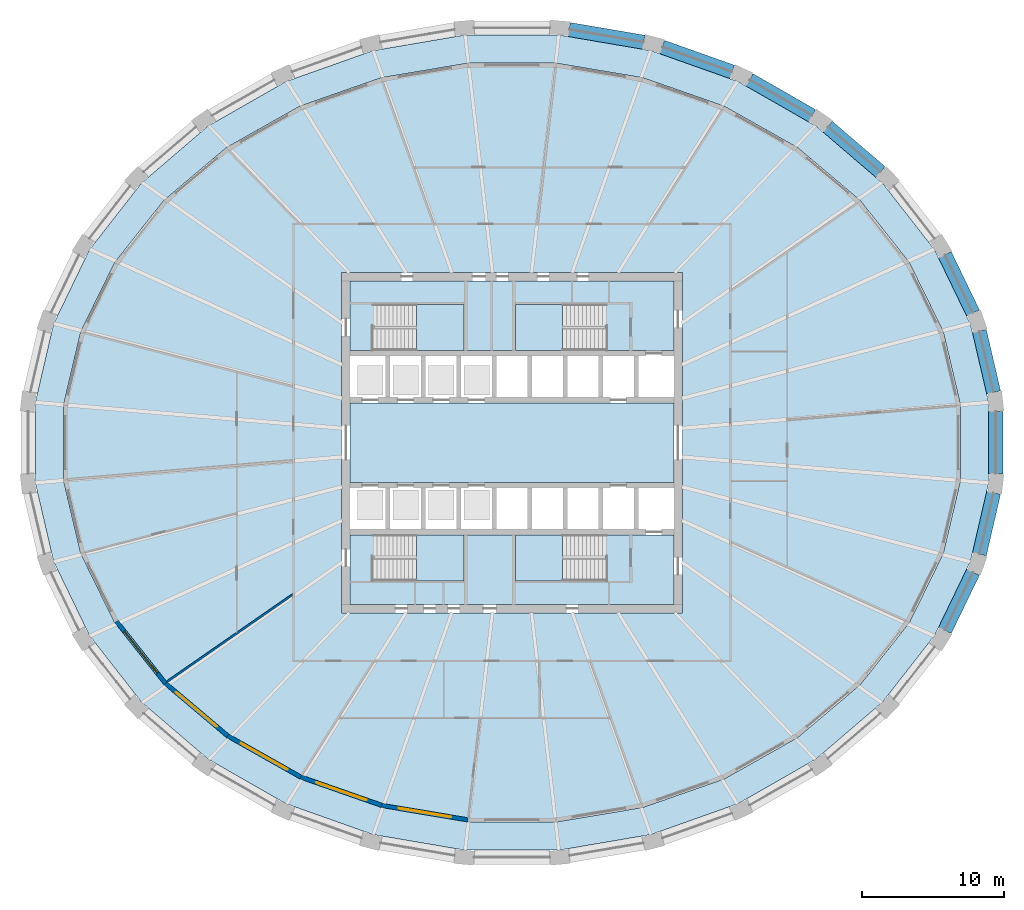
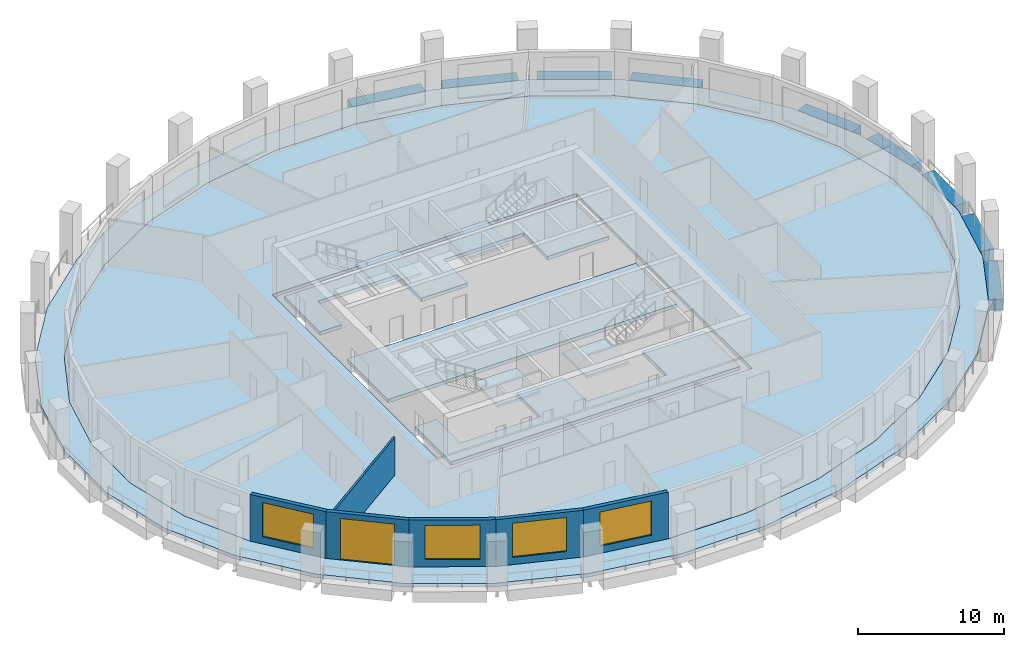
# One storey, part 2 of 11: 9 beams, 9 slabs, 6 walls, 4 windows, 1 door, 5 openings, 4 elements without a shape of their own.
"""IFC4 building model written with IfcOpenShell, lengths in metres."""

import ifcopenshell
import ifcopenshell.guid

model = None  # the IFC model being written
_history = None  # IfcOwnerHistory: only IFC2X3 demands one
_inside = {}  # id of a spatial element -> (the spatial element, [elements in it])
_under = {}  # id of a project, library or spatial element -> (it, [spatial elements below it])
_declared = {}  # id of a project -> (the project, [libraries it declares])
_typed = {}  # id of a type object -> (the type object, [elements of that type])
_made_of = {}  # id of a material, layer set ... -> (it, [elements and type objects made of it])


def new_model(schema):
    """Start an empty IFC model of exactly this schema.

    Asked for "IFC4X3", IfcOpenShell would pick the latest addendum, in which some entities
    have other attributes; the version numbers below select the first issue.
    IFC2X3 requires an IfcOwnerHistory on every rooted entity: one is made here for all.
    """
    global model, _history
    if schema == "IFC4X3":
        model = ifcopenshell.file(schema_version=(4, 3, 0, 0))
    else:
        model = ifcopenshell.file(schema=schema)
    _inside.clear()
    _under.clear()
    _declared.clear()
    _typed.clear()
    _made_of.clear()
    _history = None
    if model.schema == "IFC2X3":
        org = make("IfcOrganization", Name="unknown")
        user = make(
            "IfcPersonAndOrganization",
            ThePerson=make("IfcPerson", FamilyName="unknown"),
            TheOrganization=org,
        )
        app = make(
            "IfcApplication",
            ApplicationDeveloper=org,
            Version="unknown",
            ApplicationFullName="unknown",
            ApplicationIdentifier="unknown",
        )
        _history = make(
            "IfcOwnerHistory",
            OwningUser=user,
            OwningApplication=app,
            ChangeAction="ADDED",
            CreationDate=0,
        )
    return model


def make(cls, **values):
    """One entity of the class cls with the attributes given. An attribute that is None is left unset."""
    return model.create_entity(
        cls, **{name: value for name, value in values.items() if value is not None}
    )


def rooted(cls, **values):
    """An entity with a GlobalId (a new one), such as an element, a storey or a relation."""
    return make(cls, GlobalId=ifcopenshell.guid.new(), OwnerHistory=_history, **values)


def si_unit(unit_type, name, prefix=None):
    """IfcSIUnit, for example si_unit("LENGTHUNIT", "METRE", prefix="MILLI")."""
    return make("IfcSIUnit", UnitType=unit_type, Prefix=prefix, Name=name)


def assignment(units):
    """IfcUnitAssignment: the units of a project."""
    return None if units is None else make("IfcUnitAssignment", Units=units)


def point(xyz):
    """IfcCartesianPoint."""
    return None if xyz is None else make("IfcCartesianPoint", Coordinates=xyz)


def direction(xyz):
    """IfcDirection."""
    return None if xyz is None else make("IfcDirection", DirectionRatios=xyz)


def frame(location, z_axis=None, x_axis=None):
    """IfcAxis2Placement3D, a coordinate frame: its origin and axes. An axis left out is left unset."""
    return make(
        "IfcAxis2Placement3D",
        Location=point(location),
        Axis=direction(z_axis),
        RefDirection=direction(x_axis),
    )


def frame_2d(location, x_axis=None):
    """IfcAxis2Placement2D, a coordinate frame in the plane: its origin and x axis."""
    return make(
        "IfcAxis2Placement2D", Location=point(location), RefDirection=direction(x_axis)
    )


def origin():
    """The frame at (0, 0, 0) with its axes left unset."""
    return frame((0.0, 0.0, 0.0))


def origin_2d():
    """The frame at (0, 0) in the plane with its x axis left unset."""
    return frame_2d((0.0, 0.0))


def place(relative_to, where):
    """IfcLocalPlacement: puts the frame where relative to a parent placement (None: the world)."""
    return make(
        "IfcLocalPlacement", PlacementRelTo=relative_to, RelativePlacement=where
    )


def context(
    kind, dimensions, precision=None, world=None, true_north=None, identifier=None
):
    """IfcGeometricRepresentationContext, for example the 3D "Model" context."""
    return make(
        "IfcGeometricRepresentationContext",
        ContextIdentifier=identifier,
        ContextType=kind,
        CoordinateSpaceDimension=dimensions,
        Precision=precision,
        WorldCoordinateSystem=world,
        TrueNorth=true_north,
    )


def subcontext(parent, identifier, kind, view, scale=None):
    """IfcGeometricRepresentationSubContext, for example "Body" below "Model"."""
    return make(
        "IfcGeometricRepresentationSubContext",
        ContextIdentifier=identifier,
        ContextType=kind,
        ParentContext=parent,
        TargetScale=scale,
        TargetView=view,
    )


def project(units=None, contexts=None):
    """IfcProject with its units and contexts."""
    return rooted(
        "IfcProject",
        Name="project",
        RepresentationContexts=contexts,
        UnitsInContext=assignment(units),
    )


def spatial(cls, under=None, at=None, **own):
    """A site, building, storey or space (cls), placed at a placement, below another one or the project."""
    s = rooted(cls, ObjectPlacement=at, **own)
    if under is not None:
        _under.setdefault(under.id(), (under, []))[1].append(s)
    return s


def polyline(points):
    """IfcPolyline through the points."""
    return make("IfcPolyline", Points=[point(p) for p in points])


def profile(cls, at=None, kind="AREA", **sizes):
    """A parametric profile (cls). Its sizes go by their IFC names, for example OverallWidth=200.0."""
    return make(cls, ProfileType=kind, Position=at, **sizes)


def rectangle(**sizes):
    """IfcRectangleProfileDef."""
    return profile("IfcRectangleProfileDef", **sizes)


def outline(outer, holes=None, kind="AREA"):
    """IfcArbitraryClosedProfileDef: a profile drawn as a closed curve; with holes, ...WithVoids."""
    if holes is None:
        return make("IfcArbitraryClosedProfileDef", ProfileType=kind, OuterCurve=outer)
    return make(
        "IfcArbitraryProfileDefWithVoids",
        ProfileType=kind,
        OuterCurve=outer,
        InnerCurves=holes,
    )


def extrude(swept, where, along, depth):
    """IfcExtrudedAreaSolid: the profile swept, set in the frame where, extruded along a direction by depth."""
    return make(
        "IfcExtrudedAreaSolid",
        SweptArea=swept,
        Position=where,
        ExtrudedDirection=direction(along),
        Depth=depth,
    )


def shape(context_of_items, identifier, shape_type, items):
    """IfcShapeRepresentation: the items that make up one representation, for example the "Body"."""
    return make(
        "IfcShapeRepresentation",
        ContextOfItems=context_of_items,
        RepresentationIdentifier=identifier,
        RepresentationType=shape_type,
        Items=items,
    )


def material(Name=None, Category=None):
    """IfcMaterial."""
    return make("IfcMaterial", Name=Name, Category=Category)


def layer(
    of_material, thickness, ventilated=None, Name=None, Category=None, Priority=None
):
    """IfcMaterialLayer: one layer of a wall or slab, of a material (None: an air gap)."""
    return make(
        "IfcMaterialLayer",
        Material=of_material,
        LayerThickness=thickness,
        IsVentilated=ventilated,
        Name=Name,
        Category=Category,
        Priority=Priority,
    )


def layer_set(layers, Name=None):
    """IfcMaterialLayerSet."""
    return make("IfcMaterialLayerSet", MaterialLayers=layers, LayerSetName=Name)


def material_profile(
    of_material, cross_section, Name=None, Category=None, Priority=None
):
    """IfcMaterialProfile: a cross section and its material."""
    return make(
        "IfcMaterialProfile",
        Name=Name,
        Material=of_material,
        Profile=cross_section,
        Priority=Priority,
        Category=Category,
    )


def profile_set(profiles, Name=None, composite=None):
    """IfcMaterialProfileSet."""
    return make(
        "IfcMaterialProfileSet",
        Name=Name,
        MaterialProfiles=profiles,
        CompositeProfile=composite,
    )


def made_of(thing, what):
    """Note that an element or type object is made of a material, layer set ...; save() writes the relation."""
    if what is not None:
        _made_of.setdefault(what.id(), (what, []))[1].append(thing)
    return thing


def type_object(cls, material=None, **own):
    """A type object (cls), such as IfcWallType, which elements share."""
    return made_of(rooted(cls, **own), material)


def element(
    cls,
    number,
    at=None,
    inside=None,
    cuts=None,
    type_object=None,
    material=None,
    context=None,
    identifier="Body",
    shape_type=None,
    held_by="IfcProductDefinitionShape",
    body=None,
    shapes=None,
    **own,
):
    """One element of the class cls, such as IfcWall. Its Tag is "e" and its number.

    at: its placement. inside: the storey or other place that contains it. cuts: it is an
    opening in that element (IfcRelVoidsElement). A single representation is given by context,
    identifier, shape_type and body (its items); several are given by shapes. held_by: the class
    of the entity that holds the representations. save() writes the other relations.
    """
    e = rooted(cls, Tag="e%d" % number, ObjectPlacement=at, **own)
    if body is not None:
        shapes = [shape(context, identifier, shape_type, body)]
    if shapes is not None:
        e.Representation = make(held_by, Representations=shapes)
    if inside is not None:
        _inside.setdefault(inside.id(), (inside, []))[1].append(e)
    if cuts is not None:
        rooted(
            "IfcRelVoidsElement", RelatingBuildingElement=cuts, RelatedOpeningElement=e
        )
    if type_object is not None:
        _typed.setdefault(type_object.id(), (type_object, []))[1].append(e)
    return made_of(e, material)


def fill(opening, filler):
    """IfcRelFillsElement: the door or window that sits in an opening."""
    return rooted(
        "IfcRelFillsElement",
        RelatingOpeningElement=opening,
        RelatedBuildingElement=filler,
    )


def aggregate(whole, parts):
    """IfcRelAggregates: a whole, such as a stair, and the parts it consists of."""
    return rooted("IfcRelAggregates", RelatingObject=whole, RelatedObjects=parts)


def save(model, path):
    """Write the relations noted so far, then the file.

    IfcRelAggregates (storeys below a building ...), IfcRelContainedInSpatialStructure (elements
    in a storey), IfcRelDefinesByType, IfcRelAssociatesMaterial and IfcRelDeclares: one each for
    every whole, place, type object, material and project.
    """
    for whole, parts in _under.values():
        aggregate(whole, parts)
    for where, things in _inside.values():
        rooted(
            "IfcRelContainedInSpatialStructure",
            RelatedElements=things,
            RelatingStructure=where,
        )
    for kind, things in _typed.values():
        rooted("IfcRelDefinesByType", RelatedObjects=things, RelatingType=kind)
    for what, things in _made_of.values():
        rooted("IfcRelAssociatesMaterial", RelatedObjects=things, RelatingMaterial=what)
    for by, libraries in _declared.values():
        rooted("IfcRelDeclares", RelatingContext=by, RelatedDefinitions=libraries)
    model.write(path)


model = new_model("IFC4")

# Units and contexts
model_context = context("Model", 3, precision=1e-05, world=origin(), true_north=direction((0.0, 1.0)))
body_context = subcontext(model_context, "Body", "Model", "MODEL_VIEW")
ifc_project = project(units=[si_unit("LENGTHUNIT", "METRE"), si_unit("AREAUNIT", "SQUARE_METRE"), si_unit("VOLUMEUNIT", "CUBIC_METRE"), si_unit("PLANEANGLEUNIT", "RADIAN"), si_unit("MASSUNIT", "GRAM", prefix="KILO")], contexts=[model_context])

# Site, building, storey
site_placement = place(None, origin())
site = spatial("IfcSite", under=ifc_project, at=site_placement, CompositionType="ELEMENT")
building_placement = place(site_placement, origin())
building = spatial("IfcBuilding", under=site, at=building_placement, Name="Halqa Exchange Tower", CompositionType="ELEMENT")
storey_placement = place(building_placement, frame((0.0, 0.0, 142.300048828125)))
storey = spatial("IfcBuildingStorey", under=building, at=storey_placement, Name="L32", CompositionType="ELEMENT", Elevation=142.300048828125)

# Beams
ifc_material_1 = material(Name="Concrete C60/75", Category="concrete")
ifc_material_profile = material_profile(ifc_material_1, rectangle(XDim=1.0, YDim=0.89990234375, at=origin_2d()), Name="1000 x 900")
ifc_profile_set = profile_set([ifc_material_profile], Name="Concrete C60/75")
beam_type = type_object("IfcBeamType", Name="RC spandrel beam 1000 x 900 C60/75", PredefinedType="SPANDREL", material=ifc_profile_set)
beam_1_placement = place(storey_placement, frame((33.9453125, 3.536865234375, -0.449951171875), z_axis=(-0.226018930152, 0.974122909705, 0.0), x_axis=(-0.974122909705, -0.226018930152, 0.0)))
element("IfcBeam", 1, at=beam_1_placement, inside=storey, type_object=beam_type, Name="Spandrel 1", PredefinedType="SPANDREL", context=body_context, shape_type="SweptSolid", body=[
    extrude(rectangle(XDim=1.0, YDim=0.89990234375, at=origin_2d()), origin(), (0.0, 0.0, 1.0), 4.44384765625),
])
beam_2_placement = place(storey_placement, frame((32.49365234375, 9.134033203125, -0.449951171875), z_axis=(-0.435149114215, 0.900358399971, 0.0), x_axis=(-0.900358399971, -0.435149114215, 0.0)))
element("IfcBeam", 2, at=beam_2_placement, inside=storey, type_object=beam_type, Name="Spandrel 2", PredefinedType="SPANDREL", context=body_context, shape_type="SweptSolid", body=[
    extrude(rectangle(XDim=1.0, YDim=0.89990234375, at=origin_2d()), origin(), (0.0, 0.0, 1.0), 4.556396484375),
])
beam_3_placement = place(storey_placement, frame((25.972900390625, 19.07080078125, -0.449951171875), z_axis=(-0.759267140772, 0.650779078447, 0.0), x_axis=(-0.650779078447, -0.759267140772, 0.0)))
element("IfcBeam", 3, at=beam_3_placement, inside=storey, type_object=beam_type, Name="Spandrel 4", PredefinedType="SPANDREL", context=body_context, shape_type="SweptSolid", body=[
    extrude(rectangle(XDim=1.0, YDim=0.89990234375, at=origin_2d()), origin(), (0.0, 0.0, 1.0), 4.90576171875),
])
beam_4_placement = place(storey_placement, frame((21.150634765625, 23.03759765625, -0.449951171875), z_axis=(-0.867746542686, 0.497006979484, 0.0), x_axis=(-0.497006979484, -0.867746542686, 0.0)))
element("IfcBeam", 4, at=beam_4_placement, inside=storey, type_object=beam_type, Name="Spandrel 5", PredefinedType="SPANDREL", context=body_context, shape_type="SweptSolid", body=[
    extrude(rectangle(XDim=1.0, YDim=0.89990234375, at=origin_2d()), origin(), (0.0, 0.0, 1.0), 5.087158203125),
])
beam_5_placement = place(storey_placement, frame((15.515380859375, 26.12646484375, -0.449951171875), z_axis=(-0.942353294541, 0.334619587393, 0.0), x_axis=(-0.334619587393, -0.942353294541, 0.0)))
element("IfcBeam", 5, at=beam_5_placement, inside=storey, type_object=beam_type, Name="Spandrel 6", PredefinedType="SPANDREL", context=body_context, shape_type="SweptSolid", body=[
    extrude(rectangle(XDim=1.0, YDim=0.89990234375, at=origin_2d()), origin(), (0.0, 0.0, 1.0), 5.235595703125),
])
beam_6_placement = place(storey_placement, frame((9.281982421875, 28.217041015625, -0.449951171875), z_axis=(-0.985773443598, 0.168079498741, 0.0), x_axis=(-0.168079498741, -0.985773443598, 0.0)))
element("IfcBeam", 6, at=beam_6_placement, inside=storey, type_object=beam_type, Name="Spandrel 7", PredefinedType="SPANDREL", context=body_context, shape_type="SweptSolid", body=[
    extrude(rectangle(XDim=1.0, YDim=0.89990234375, at=origin_2d()), origin(), (0.0, 0.0, 1.0), 5.333740234375),
])
beam_7_placement = place(storey_placement, frame((30.510986328125, -13.236328125, -0.449951171875), z_axis=(0.435149114215, 0.900358399971, 0.0), x_axis=(-0.900358399971, 0.435149114215, 0.0)))
element("IfcBeam", 7, at=beam_7_placement, inside=storey, type_object=beam_type, Name="Spandrel 30", PredefinedType="SPANDREL", context=body_context, shape_type="SweptSolid", body=[
    extrude(rectangle(XDim=1.0, YDim=0.89990234375, at=origin_2d()), origin(), (0.0, 0.0, 1.0), 4.556396484375),
])
beam_8_placement = place(storey_placement, frame((32.94091796875, -7.86572265625, -0.449951171875), z_axis=(0.226018930152, 0.974122909705, 0.0), x_axis=(-0.974122909705, 0.226018930152, 0.0)))
element("IfcBeam", 8, at=beam_8_placement, inside=storey, type_object=beam_type, Name="Spandrel 31", PredefinedType="SPANDREL", context=body_context, shape_type="SweptSolid", body=[
    extrude(rectangle(XDim=1.0, YDim=0.89990234375, at=origin_2d()), origin(), (0.0, 0.0, 1.0), 4.44384765625),
])
beam_9_placement = place(storey_placement, frame((34.09814453125, -2.20263671875, -0.449951171875), z_axis=(0.0, 1.0, 0.0), x_axis=(-1.0, 0.0, 0.0)))
element("IfcBeam", 9, at=beam_9_placement, inside=storey, type_object=beam_type, Name="Spandrel 32", PredefinedType="SPANDREL", context=body_context, shape_type="SweptSolid", body=[
    extrude(rectangle(XDim=1.0, YDim=0.89990234375, at=origin_2d()), origin(), (0.0, 0.0, 1.0), 4.4052734375),
])

# Slabs
ifc_layer_1 = layer(ifc_material_1, 0.300048828125)
ifc_layer_set_1 = layer_set([ifc_layer_1], Name="Concrete C60/75")
slab_type_1 = type_object("IfcSlabType", Name="Core floor slab 300", PredefinedType="FLOOR", material=ifc_layer_set_1)
slab_1_placement = place(storey_placement, frame((0.0, 0.0, -0.300048828125)))
element("IfcSlab", 10, at=slab_1_placement, inside=storey, type_object=slab_type_1, Name="Core floor slab", PredefinedType="FLOOR", context=body_context, shape_type="SweptSolid", body=[
    extrude(outline(polyline([(-11.39990234375, 2.800048828125), (11.39990234375, 2.800048828125), (11.39990234375, -2.800048828125), (-11.39990234375, -2.800048828125), (-11.39990234375, 2.800048828125)])), origin(), (0.0, 0.0, 1.0), 0.300048828125),
])
slab_2_placement = place(storey_placement, frame((0.0, 0.0, -0.300048828125)))
element("IfcSlab", 11, at=slab_2_placement, inside=storey, type_object=slab_type_1, Name="Core floor slab", PredefinedType="FLOOR", context=body_context, shape_type="SweptSolid", body=[
    extrude(outline(polyline([(-11.39990234375, 11.39990234375), (11.39990234375, 11.39990234375), (11.39990234375, 6.5), (6.550048828125, 6.5), (6.550048828125, 9.75), (0.25, 9.75), (0.25, 6.5), (-3.39990234375, 6.5), (-3.39990234375, 9.75), (-9.699951171875, 9.75), (-9.699951171875, 6.5), (-11.39990234375, 6.5), (-11.39990234375, 11.39990234375)])), origin(), (0.0, 0.0, 1.0), 0.300048828125),
])
slab_3_placement = place(storey_placement, frame((0.0, 0.0, -0.300048828125)))
element("IfcSlab", 12, at=slab_3_placement, inside=storey, type_object=slab_type_1, Name="Core floor slab", PredefinedType="FLOOR", context=body_context, shape_type="SweptSolid", body=[
    extrude(outline(polyline([(-9.699951171875, -9.75), (-3.39990234375, -9.75), (-3.39990234375, -6.5), (0.25, -6.5), (0.25, -9.75), (6.550048828125, -9.75), (6.550048828125, -6.5), (11.39990234375, -6.5), (11.39990234375, -11.39990234375), (-11.39990234375, -11.39990234375), (-11.39990234375, -6.5), (-9.699951171875, -6.5), (-9.699951171875, -9.75)])), origin(), (0.0, 0.0, 1.0), 0.300048828125),
])
ifc_material_2 = material(Name="Concrete C40/50", Category="concrete")
ifc_layer_2 = layer(ifc_material_2, 0.300048828125)
ifc_layer_set_2 = layer_set([ifc_layer_2], Name="Concrete C40/50")
slab_type_2 = type_object("IfcSlabType", Name="RC floor slab 300", PredefinedType="FLOOR", material=ifc_layer_set_2)
slab_4_placement = place(storey_placement, frame((0.0, 0.0, -0.300048828125)))
element("IfcSlab", 13, at=slab_4_placement, inside=storey, type_object=slab_type_2, Name="Floor slab", PredefinedType="FLOOR", context=body_context, shape_type="SweptSolid", body=[
    extrude(outline(polyline([(31.61181640625, 2.63916015625), (30.392578125, 7.814208984375), (28.00341796875, 12.685302734375), (24.5380859375, 17.064697265625), (20.132080078125, 20.78515625), (14.955810546875, 23.705810546875), (9.208251953125, 25.716064453125), (3.10888671875, 26.740478515625), (-3.10888671875, 26.740478515625), (-9.208251953125, 25.716064453125), (-14.955810546875, 23.705810546875), (-20.132080078125, 20.78515625), (-24.5380859375, 17.064697265625), (-28.00341796875, 12.685302734375), (-30.392578125, 7.814208984375), (-31.61181640625, 2.63916015625), (-31.61181640625, -2.63916015625), (-30.392578125, -7.814208984375), (-28.00341796875, -12.685302734375), (-24.5380859375, -17.064697265625), (-20.132080078125, -20.78515625), (-14.955810546875, -23.705810546875), (-9.208251953125, -25.716064453125), (-3.10888671875, -26.740478515625), (3.10888671875, -26.740478515625), (9.208251953125, -25.716064453125), (14.955810546875, -23.705810546875), (20.132080078125, -20.78515625), (24.5380859375, -17.064697265625), (28.00341796875, -12.685302734375), (30.392578125, -7.814208984375), (31.61181640625, -2.63916015625), (31.61181640625, 2.63916015625)]), holes=[polyline([(-12.0, -12.0), (12.0, -12.0), (12.0, 12.0), (-12.0, 12.0), (-12.0, -12.0)])]), origin(), (0.0, 0.0, 1.0), 0.300048828125),
])
ifc_layer_3 = layer(ifc_material_2, 0.300048828125)
ifc_layer_set_3 = layer_set([ifc_layer_3], Name="Concrete C40/50")
slab_type_3 = type_object("IfcSlabType", Name="RC loggia slab 300", PredefinedType="FLOOR", material=ifc_layer_set_3)
slab_5_placement = place(storey_placement, frame((0.0, 0.0, -0.300048828125)))
element("IfcSlab", 14, at=slab_5_placement, inside=storey, type_object=slab_type_3, Name="Loggia slab", PredefinedType="FLOOR", context=body_context, shape_type="SweptSolid", body=[
    extrude(outline(polyline([(33.59814453125, 2.8212890625), (33.59814453125, -2.8212890625), (32.313232421875, -8.35791015625), (29.790283203125, -13.578857421875), (26.122314453125, -18.2841796875), (21.44677734375, -22.291748046875), (15.94189453125, -25.444580078125), (9.819580078125, -27.618408203125), (3.316162109375, -28.72705078125), (-3.316162109375, -28.72705078125), (-9.819580078125, -27.618408203125), (-15.94189453125, -25.444580078125), (-21.44677734375, -22.291748046875), (-26.122314453125, -18.2841796875), (-29.790283203125, -13.578857421875), (-32.313232421875, -8.35791015625), (-33.59814453125, -2.8212890625), (-33.59814453125, 2.8212890625), (-32.313232421875, 8.35791015625), (-29.790283203125, 13.578857421875), (-26.122314453125, 18.2841796875), (-21.44677734375, 22.291748046875), (-15.94189453125, 25.444580078125), (-9.819580078125, 27.618408203125), (-3.316162109375, 28.72705078125), (3.316162109375, 28.72705078125), (9.819580078125, 27.618408203125), (15.94189453125, 25.444580078125), (21.44677734375, 22.291748046875), (26.122314453125, 18.2841796875), (29.790283203125, 13.578857421875), (32.313232421875, 8.35791015625), (33.59814453125, 2.8212890625)]), holes=[polyline([(31.61181640625, 2.63916015625), (30.392578125, 7.814208984375), (28.00341796875, 12.685302734375), (24.5380859375, 17.064697265625), (20.132080078125, 20.78515625), (14.955810546875, 23.705810546875), (9.208251953125, 25.716064453125), (3.10888671875, 26.740478515625), (-3.10888671875, 26.740478515625), (-9.208251953125, 25.716064453125), (-14.955810546875, 23.705810546875), (-20.132080078125, 20.78515625), (-24.5380859375, 17.064697265625), (-28.00341796875, 12.685302734375), (-30.392578125, 7.814208984375), (-31.61181640625, 2.63916015625), (-31.61181640625, -2.63916015625), (-30.392578125, -7.814208984375), (-28.00341796875, -12.685302734375), (-24.5380859375, -17.064697265625), (-20.132080078125, -20.78515625), (-14.955810546875, -23.705810546875), (-9.208251953125, -25.716064453125), (-3.10888671875, -26.740478515625), (3.10888671875, -26.740478515625), (9.208251953125, -25.716064453125), (14.955810546875, -23.705810546875), (20.132080078125, -20.78515625), (24.5380859375, -17.064697265625), (28.00341796875, -12.685302734375), (30.392578125, -7.814208984375), (31.61181640625, -2.63916015625), (31.61181640625, 2.63916015625)])]), origin(), (0.0, 0.0, 1.0), 0.300048828125),
])

# Stair, slab
ifc_material_3 = material(Name="Concrete C30/37", Category="concrete")
stair_type = type_object("IfcStairType", Name="Exit stair 1500 wide", PredefinedType="HALF_TURN_STAIR", material=ifc_material_3)
stair_1_placement = place(storey_placement, origin())
stair_1 = element("IfcStair", 15, at=stair_1_placement, inside=storey, type_object=stair_type, Name="Exit stair ST1", PredefinedType="HALF_TURN_STAIR")
ifc_layer_4 = layer(ifc_material_3, 0.199951171875)
ifc_layer_set_4 = layer_set([ifc_layer_4], Name="Concrete C30/37")
slab_type_4 = type_object("IfcSlabType", Name="Stair landing 200 slab", PredefinedType="LANDING", material=ifc_layer_set_4)
slab_6_placement = place(storey_placement, frame((0.0, 0.0, 1.89990234375)))
slab_6 = element("IfcSlab", 16, at=slab_6_placement, type_object=slab_type_4, Name="ST1 landing 1", PredefinedType="LANDING", context=body_context, shape_type="SweptSolid", body=[
    extrude(outline(polyline([(-6.719970703125, 6.5), (-3.39990234375, 6.5), (-3.39990234375, 9.75), (-6.719970703125, 9.75), (-6.719970703125, 6.5)])), origin(), (0.0, 0.0, 1.0), 0.199951171875),
])
aggregate(stair_1, [slab_6])

stair_2_placement = place(storey_placement, origin())
stair_2 = element("IfcStair", 17, at=stair_2_placement, inside=storey, type_object=stair_type, Name="Exit stair ST2", PredefinedType="HALF_TURN_STAIR")
slab_7_placement = place(storey_placement, frame((0.0, 0.0, 1.89990234375)))
slab_7 = element("IfcSlab", 18, at=slab_7_placement, type_object=slab_type_4, Name="ST2 landing 1", PredefinedType="LANDING", context=body_context, shape_type="SweptSolid", body=[
    extrude(outline(polyline([(0.25, 6.5), (3.570068359375, 6.5), (3.570068359375, 9.75), (0.25, 9.75), (0.25, 6.5)])), origin(), (0.0, 0.0, 1.0), 0.199951171875),
])
aggregate(stair_2, [slab_7])

stair_3_placement = place(storey_placement, origin())
stair_3 = element("IfcStair", 19, at=stair_3_placement, inside=storey, type_object=stair_type, Name="Exit stair ST3", PredefinedType="HALF_TURN_STAIR")
slab_8_placement = place(storey_placement, frame((0.0, 0.0, 1.89990234375)))
slab_8 = element("IfcSlab", 20, at=slab_8_placement, type_object=slab_type_4, Name="ST3 landing 1", PredefinedType="LANDING", context=body_context, shape_type="SweptSolid", body=[
    extrude(outline(polyline([(-6.719970703125, -9.75), (-3.39990234375, -9.75), (-3.39990234375, -6.5), (-6.719970703125, -6.5), (-6.719970703125, -9.75)])), origin(), (0.0, 0.0, 1.0), 0.199951171875),
])
aggregate(stair_3, [slab_8])

stair_4_placement = place(storey_placement, origin())
stair_4 = element("IfcStair", 21, at=stair_4_placement, inside=storey, type_object=stair_type, Name="Exit stair ST4", PredefinedType="HALF_TURN_STAIR")
slab_9_placement = place(storey_placement, frame((0.0, 0.0, 1.89990234375)))
slab_9 = element("IfcSlab", 22, at=slab_9_placement, type_object=slab_type_4, Name="ST4 landing 1", PredefinedType="LANDING", context=body_context, shape_type="SweptSolid", body=[
    extrude(outline(polyline([(0.25, -9.75), (3.570068359375, -9.75), (3.570068359375, -6.5), (0.25, -6.5), (0.25, -9.75)])), origin(), (0.0, 0.0, 1.0), 0.199951171875),
])
aggregate(stair_4, [slab_9])

# Wall
ifc_material_4 = material(Name="Fire-rated gypsum board")
ifc_layer_5 = layer(ifc_material_4, 0.14990234375)
ifc_layer_set_5 = layer_set([ifc_layer_5], Name="Fire-rated gypsum board")
wall_type_1 = type_object("IfcWallType", Name="Fire partition EI 60 150", PredefinedType="PARTITIONING", material=ifc_layer_set_5)
wall_1_placement = place(storey_placement, frame((-24.32373046875, -16.859130859375, 0.0), z_axis=(0.0, 0.0, 1.0), x_axis=(0.821700462415, 0.569919599652, 0.0)))
element("IfcWall", 23, at=wall_1_placement, inside=storey, type_object=wall_type_1, Name="L32-PWL-003", PredefinedType="PARTITIONING", context=body_context, shape_type="SweptSolid", body=[
    extrude(outline(polyline([(0.025146484375, -0.074951171875), (1.80712890625, -0.074951171875), (3.5888671875, -0.074951171875), (5.370849609375, -0.074951171875), (7.15283203125, -0.074951171875), (8.934814453125, -0.074951171875), (10.716796875, -0.074951171875), (10.8203125, 0.07421875), (10.8203125, 0.074951171875), (9.24853515625, 0.074951171875), (7.6767578125, 0.074951171875), (6.10498046875, 0.074951171875), (6.10400390625, 0.073486328125), (6.101806640625, 0.074951171875), (4.576416015625, 0.074951171875), (3.051025390625, 0.074951171875), (1.525390625, 0.074951171875), (0.0, 0.074951171875), (0.0, 0.070556640625), (0.00439453125, 0.002197265625), (0.025146484375, -0.074951171875)])), origin(), (0.0, 0.0, 1.0), 3.14697265625),
])

# Wall, opening, window
ifc_material_5 = material(Name="Limestone cladding", Category="masonry")
ifc_layer_6 = layer(ifc_material_5, 0.0400390625)
ifc_material_6 = material(Name="Ventilated cavity")
ifc_layer_7 = layer(ifc_material_6, 0.030029296875, ventilated=True)
ifc_material_7 = material(Name="Mineral wool insulation")
ifc_layer_8 = layer(ifc_material_7, 0.10009765625)
ifc_layer_9 = layer(ifc_material_3, 0.10009765625)
ifc_material_8 = material(Name="Internal plaster")
ifc_layer_10 = layer(ifc_material_8, 0.030029296875)
ifc_layer_set_6 = layer_set([ifc_layer_6, ifc_layer_7, ifc_layer_8, ifc_layer_9, ifc_layer_10], Name="Stone-faced insulated wall 300")
wall_type_2 = type_object("IfcWallType", Name="Stone-faced insulated wall 300", PredefinedType="STANDARD", material=ifc_layer_set_6)
wall_2_placement = place(storey_placement, frame((-27.875732421875, -12.604736328125, 0.0), z_axis=(0.0, 0.0, 1.0), x_axis=(0.620520511988, -0.784190215574, 0.0)))
wall_2 = element("IfcWall", 24, at=wall_2_placement, inside=storey, type_object=wall_type_2, Name="Glass-line wall 19", PredefinedType="STANDARD", context=body_context, shape_type="SweptSolid", body=[
    extrude(outline(polyline([(-0.01611328125, -0.14990234375), (5.568603515625, -0.14990234375), (5.538330078125, 0.14990234375), (0.01611328125, 0.14990234375), (-0.01611328125, -0.14990234375)])), origin(), (0.0, 0.0, 1.0), 3.89990234375),
])
opening_1_placement = place(wall_2_placement, frame((0.901611328125, 0.0, 0.60009765625)))
opening_1 = element("IfcOpeningElement", 25, at=opening_1_placement, cuts=wall_2, Name="Opening W-F2-19", PredefinedType="OPENING", context=body_context, shape_type="SweptSolid", body=[
    extrude(rectangle(XDim=3.75, YDim=2.85009765625, at=frame_2d((1.875, 1.425048828125))), frame((0.0, 0.162109375, 0.0), z_axis=(0.0, -1.0, 0.0), x_axis=(1.0, 0.0, 0.0)), (0.0, 0.0, 1.0), 0.323974609375),
])
ifc_material_9 = material(Name="Clear low-emissivity glass in aluminium frame", Category="aluminium")
window_type = type_object("IfcWindowType", Name="Fixed clear glazed window 3750 x 2850", PartitioningType="TRIPLE_PANEL_VERTICAL", PredefinedType="WINDOW", material=ifc_material_9)
window_1_placement = place(opening_1_placement, origin())
window_1 = element("IfcWindow", 26, at=window_1_placement, inside=storey, type_object=window_type, Name="Window 2", OverallHeight=2.85009765625, OverallWidth=3.75, PartitioningType="TRIPLE_PANEL_VERTICAL", PredefinedType="WINDOW", context=body_context, shape_type="SweptSolid", body=[
    extrude(rectangle(XDim=3.75, YDim=2.85009765625, at=frame_2d((1.875, 1.425048828125))), frame((0.0, 0.030029296875, 0.0), z_axis=(0.0, -1.0, 0.0), x_axis=(1.0, 0.0, 0.0)), (0.0, 0.0, 1.0), 0.06005859375),
])
fill(opening_1, window_1)

# Wall, opening, door
wall_3_placement = place(storey_placement, frame((-24.4296875, -16.959716796875, 0.0), z_axis=(0.0, 0.0, 1.0), x_axis=(0.764047627809, -0.64515984255, 0.0)))
wall_3 = element("IfcWall", 27, at=wall_3_placement, inside=storey, type_object=wall_type_2, Name="Glass-line wall 20", PredefinedType="STANDARD", context=body_context, shape_type="SweptSolid", body=[
    extrude(outline(polyline([(-0.01513671875, -0.14990234375), (5.751708984375, -0.14990234375), (5.723388671875, 0.14990234375), (0.01513671875, 0.14990234375), (-0.01513671875, -0.14990234375)])), origin(), (0.0, 0.0, 1.0), 3.89990234375),
])
opening_2_placement = place(wall_3_placement, frame((0.99365234375, 0.0, 0.0)))
opening_2 = element("IfcOpeningElement", 28, at=opening_2_placement, cuts=wall_3, Name="Opening LG-F2-05", PredefinedType="OPENING", context=body_context, shape_type="SweptSolid", body=[
    extrude(rectangle(XDim=3.75, YDim=3.449951171875, at=frame_2d((1.875, 1.72509765625))), frame((0.0, 0.162109375, 0.0), z_axis=(0.0, -1.0, 0.0), x_axis=(1.0, 0.0, 0.0)), (0.0, 0.0, 1.0), 0.323974609375),
])
door_type = type_object("IfcDoorType", Name="Glazed sliding loggia door 3750 x 3450", OperationType="DOUBLE_DOOR_SLIDING", PredefinedType="DOOR", material=ifc_material_9)
door_placement = place(opening_2_placement, origin())
door = element("IfcDoor", 29, at=door_placement, inside=storey, type_object=door_type, Name="Loggia door 5", OperationType="DOUBLE_DOOR_SLIDING", OverallHeight=3.449951171875, OverallWidth=3.75, PredefinedType="DOOR", context=body_context, shape_type="SweptSolid", body=[
    extrude(rectangle(XDim=3.75, YDim=3.449951171875, at=frame_2d((1.875, 1.72509765625))), frame((0.0, 0.02490234375, 0.0), z_axis=(0.0, -1.0, 0.0), x_axis=(1.0, 0.0, 0.0)), (0.0, 0.0, 1.0), 0.050048828125),
])
fill(opening_2, door)

# Wall, opening, window
wall_4_placement = place(storey_placement, frame((-20.0458984375, -20.661376953125, 0.0), z_axis=(0.0, 0.0, 1.0), x_axis=(0.870912346166, -0.491438384028, 0.0)))
wall_4 = element("IfcWall", 30, at=wall_4_placement, inside=storey, type_object=wall_type_2, Name="Glass-line wall 21", PredefinedType="STANDARD", context=body_context, shape_type="SweptSolid", body=[
    extrude(outline(polyline([(-0.01416015625, -0.14990234375), (5.92919921875, -0.14990234375), (5.90234375, 0.14990234375), (0.01416015625, 0.14990234375), (-0.01416015625, -0.14990234375)])), origin(), (0.0, 0.0, 1.0), 3.89990234375),
])
opening_3_placement = place(wall_4_placement, frame((1.0830078125, 0.0, 0.60009765625)))
opening_3 = element("IfcOpeningElement", 31, at=opening_3_placement, cuts=wall_4, Name="Opening W-F2-21", PredefinedType="OPENING", context=body_context, shape_type="SweptSolid", body=[
    extrude(rectangle(XDim=3.75, YDim=2.85009765625, at=frame_2d((1.875, 1.425048828125))), frame((0.0, 0.162109375, 0.0), z_axis=(0.0, -1.0, 0.0), x_axis=(1.0, 0.0, 0.0)), (0.0, 0.0, 1.0), 0.323974609375),
])
window_2_placement = place(opening_3_placement, origin())
window_2 = element("IfcWindow", 32, at=window_2_placement, inside=storey, type_object=window_type, Name="Window 2", OverallHeight=2.85009765625, OverallWidth=3.75, PartitioningType="TRIPLE_PANEL_VERTICAL", PredefinedType="WINDOW", context=body_context, shape_type="SweptSolid", body=[
    extrude(rectangle(XDim=3.75, YDim=2.85009765625, at=frame_2d((1.875, 1.425048828125))), frame((0.0, 0.030029296875, 0.0), z_axis=(0.0, -1.0, 0.0), x_axis=(1.0, 0.0, 0.0)), (0.0, 0.0, 1.0), 0.06005859375),
])
fill(opening_3, window_2)

wall_5_placement = place(storey_placement, frame((-14.893798828125, -23.568603515625, 0.0), z_axis=(0.0, 0.0, 1.0), x_axis=(0.943925510212, -0.330158494016, 0.0)))
wall_5 = element("IfcWall", 33, at=wall_5_placement, inside=storey, type_object=wall_type_2, Name="Glass-line wall 22", PredefinedType="STANDARD", context=body_context, shape_type="SweptSolid", body=[
    extrude(outline(polyline([(-0.013427734375, -0.14990234375), (6.07568359375, -0.14990234375), (6.05029296875, 0.14990234375), (0.013427734375, 0.14990234375), (-0.013427734375, -0.14990234375)])), origin(), (0.0, 0.0, 1.0), 3.89990234375),
])
opening_4_placement = place(wall_5_placement, frame((1.156494140625, 0.0, 0.60009765625)))
opening_4 = element("IfcOpeningElement", 34, at=opening_4_placement, cuts=wall_5, Name="Opening W-F2-22", PredefinedType="OPENING", context=body_context, shape_type="SweptSolid", body=[
    extrude(rectangle(XDim=3.75, YDim=2.85009765625, at=frame_2d((1.875, 1.425048828125))), frame((0.0, 0.162109375, 0.0), z_axis=(0.0, -1.0, 0.0), x_axis=(1.0, 0.0, 0.0)), (0.0, 0.0, 1.0), 0.323974609375),
])
window_3_placement = place(opening_4_placement, origin())
window_3 = element("IfcWindow", 35, at=window_3_placement, inside=storey, type_object=window_type, Name="Window 2", OverallHeight=2.85009765625, OverallWidth=3.75, PartitioningType="TRIPLE_PANEL_VERTICAL", PredefinedType="WINDOW", context=body_context, shape_type="SweptSolid", body=[
    extrude(rectangle(XDim=3.75, YDim=2.85009765625, at=frame_2d((1.875, 1.425048828125))), frame((0.0, 0.030029296875, 0.0), z_axis=(0.0, -1.0, 0.0), x_axis=(1.0, 0.0, 0.0)), (0.0, 0.0, 1.0), 0.06005859375),
])
fill(opening_4, window_3)

wall_6_placement = place(storey_placement, frame((-9.1708984375, -25.5703125, 0.0), z_axis=(0.0, 0.0, 1.0), x_axis=(0.986186393203, -0.165639360845, 0.0)))
wall_6 = element("IfcWall", 36, at=wall_6_placement, inside=storey, type_object=wall_type_2, Name="Glass-line wall 23", PredefinedType="STANDARD", context=body_context, shape_type="SweptSolid", body=[
    extrude(outline(polyline([(-0.0126953125, -0.14990234375), (6.172119140625, -0.14990234375), (6.147216796875, 0.14990234375), (0.0126953125, 0.14990234375), (-0.0126953125, -0.14990234375)])), origin(), (0.0, 0.0, 1.0), 3.89990234375),
])
opening_5_placement = place(wall_6_placement, frame((1.20458984375, 0.0, 0.60009765625)))
opening_5 = element("IfcOpeningElement", 37, at=opening_5_placement, cuts=wall_6, Name="Opening W-F2-23", PredefinedType="OPENING", context=body_context, shape_type="SweptSolid", body=[
    extrude(rectangle(XDim=3.75, YDim=2.85009765625, at=frame_2d((1.875, 1.425048828125))), frame((0.0, 0.162109375, 0.0), z_axis=(0.0, -1.0, 0.0), x_axis=(1.0, 0.0, 0.0)), (0.0, 0.0, 1.0), 0.323974609375),
])
window_4_placement = place(opening_5_placement, origin())
window_4 = element("IfcWindow", 38, at=window_4_placement, inside=storey, type_object=window_type, Name="Window 2", OverallHeight=2.85009765625, OverallWidth=3.75, PartitioningType="TRIPLE_PANEL_VERTICAL", PredefinedType="WINDOW", context=body_context, shape_type="SweptSolid", body=[
    extrude(rectangle(XDim=3.75, YDim=2.85009765625, at=frame_2d((1.875, 1.425048828125))), frame((0.0, 0.030029296875, 0.0), z_axis=(0.0, -1.0, 0.0), x_axis=(1.0, 0.0, 0.0)), (0.0, 0.0, 1.0), 0.06005859375),
])
fill(opening_5, window_4)

save(model, "model.ifc")
